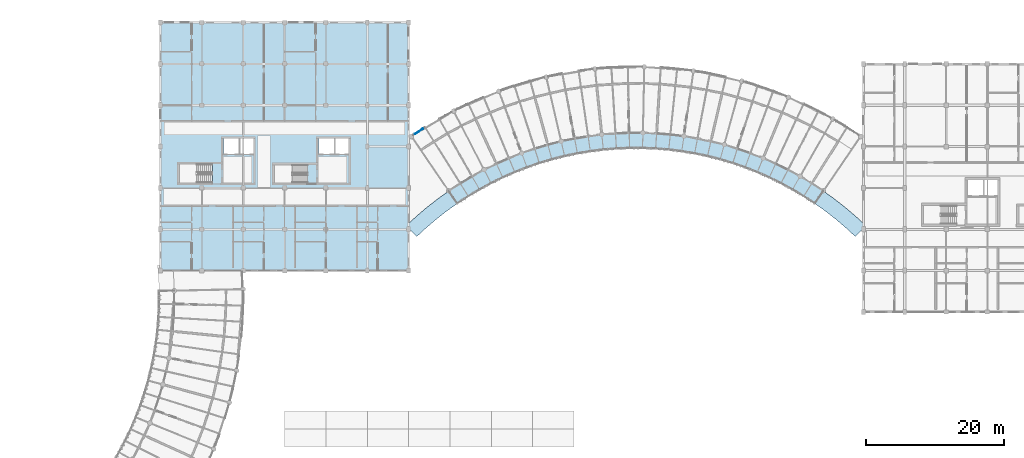
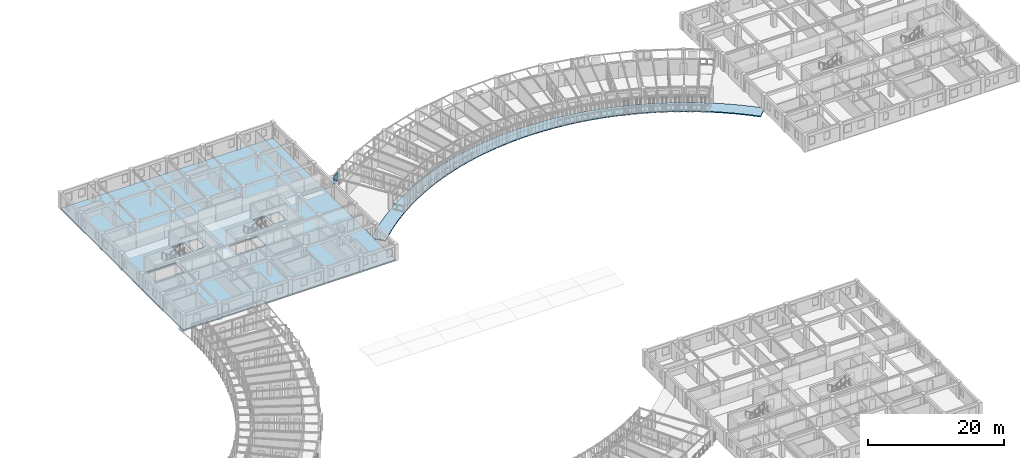
# One storey, part 48 of 100: 2 slabs, 1 plate.
"""IFC4 building model written with IfcOpenShell, lengths in metres."""

from ifc_helpers import new_model, si_unit, direction, frame, origin, origin_2d, place, context, subcontext, project, spatial, polyline, rectangle, outline, extrude, material, layer, layer_set, type_object, element, save


model = new_model("IFC4")

# Units and contexts
model_context = context("Model", 3, precision=1e-05, world=origin(), true_north=direction((0.0, 1.0)))
body_context = subcontext(model_context, "Body", "Model", "MODEL_VIEW")
ifc_project = project(units=[si_unit("LENGTHUNIT", "METRE"), si_unit("AREAUNIT", "SQUARE_METRE"), si_unit("VOLUMEUNIT", "CUBIC_METRE"), si_unit("PLANEANGLEUNIT", "RADIAN"), si_unit("MASSUNIT", "GRAM", prefix="KILO"), si_unit("POWERUNIT", "WATT"), si_unit("THERMODYNAMICTEMPERATUREUNIT", "KELVIN")], contexts=[model_context])

# Site, building, storey
site_placement = place(None, origin())
site = spatial("IfcSite", under=ifc_project, at=site_placement, CompositionType="ELEMENT")
building_placement = place(site_placement, origin())
building = spatial("IfcBuilding", under=site, at=building_placement, Name="Ruvembo Vaulted Housing Court", CompositionType="ELEMENT")
storey_placement = place(building_placement, frame((0.0, 0.0, 10.89990234375)))
storey = spatial("IfcBuildingStorey", under=building, at=storey_placement, Name="L03", CompositionType="ELEMENT", Elevation=10.89990234375)

# Plate
ifc_material_1 = material(Name="Perforated Glazed Ceramic Cobogo Block", Category="ceramic")
ifc_layer_1 = layer(ifc_material_1, 0.1201171875, Name="Perforated Glazed Ceramic Cobogo Block")
ifc_layer_set_1 = layer_set([ifc_layer_1], Name="Perforated Glazed Ceramic Cobogo Block")
plate_type = type_object("IfcPlateType", Name="PL-COBOGO-120", PredefinedType="USERDEFINED", material=ifc_layer_set_1)
plate_placement = place(storey_placement, frame((85.5107421875, 98.216064453125, 1.1201171875), z_axis=(0.0, 0.0, 1.0), x_axis=(0.83583610699, 0.548979054474, 0.0)))
element("IfcPlate", 1, at=plate_placement, inside=storey, type_object=plate_type, Name="Scoop SC3 L03 Ceramic Cobogo Screen #87", ObjectType="COBOGO_PANEL", PredefinedType="USERDEFINED", context=body_context, shape_type="SweptSolid", body=[
    extrude(rectangle(XDim=1.39990234375, YDim=0.1201171875, at=origin_2d()), origin(), (0.0, 0.0, 1.0), 1.360107421875),
])

# Slabs
ifc_material_2 = material(Name="Concrete C35/45", Category="concrete")
ifc_layer_2 = layer(ifc_material_2, 0.172119140625, Name="Concrete C35/45")
ifc_layer_set_2 = layer_set([ifc_layer_2], Name="Concrete C35/45")
slab_type_1 = type_object("IfcSlabType", Name="SL-BAL-172", PredefinedType="FLOOR", material=ifc_layer_set_2)
slab_1_placement = place(storey_placement, frame((0.0, 0.0, -0.171875)))
element("IfcSlab", 2, at=slab_1_placement, inside=storey, type_object=slab_type_1, Name="Scoop SC3 L03 Continuous Curved Balcony Slab", PredefinedType="FLOOR", context=body_context, shape_type="SweptSolid", body=[
    extrude(outline(polyline([(150.0, 84.172607421875), (150.0, 84.8466796875), (148.882080078125, 85.88232421875), (147.365478515625, 87.17431640625), (145.796630859375, 88.402587890625), (144.17822265625, 89.564453125), (142.512939453125, 90.658203125), (140.8037109375, 91.681884765625), (139.053466796875, 92.6337890625), (137.26513671875, 93.51220703125), (135.44189453125, 94.31591796875), (133.587158203125, 95.04296875), (131.70361328125, 95.6923828125), (129.794677734375, 96.26318359375), (127.86376953125, 96.75439453125), (125.914306640625, 97.1650390625), (123.94921875, 97.494384765625), (121.972412109375, 97.74169921875), (119.98681640625, 97.906982421875), (117.99609375, 97.98974609375), (116.00390625, 97.98974609375), (114.01318359375, 97.906982421875), (112.027587890625, 97.74169921875), (110.05078125, 97.494384765625), (108.085693359375, 97.1650390625), (106.13623046875, 96.75439453125), (104.205322265625, 96.26318359375), (102.29638671875, 95.6923828125), (100.412841796875, 95.04296875), (98.55810546875, 94.31591796875), (96.73486328125, 93.51220703125), (94.946533203125, 92.6337890625), (93.1962890625, 91.681884765625), (91.487060546875, 90.658203125), (89.82177734375, 89.564453125), (88.203369140625, 88.402587890625), (86.634521484375, 87.17431640625), (85.117919921875, 85.88232421875), (84.0, 84.8466796875), (84.0, 84.172607421875), (85.1845703125, 82.94580078125), (86.579345703125, 84.23779296875), (88.0263671875, 85.470703125), (89.523193359375, 86.642333984375), (91.0673828125, 87.751220703125), (92.656494140625, 88.794677734375), (94.287353515625, 89.771484375), (95.95751953125, 90.6796875), (97.663818359375, 91.51806640625), (99.4033203125, 92.28466796875), (101.173095703125, 92.978515625), (102.970458984375, 93.598388671875), (104.791748046875, 94.142822265625), (106.634033203125, 94.611572265625), (108.494384765625, 95.00341796875), (110.369140625, 95.3173828125), (112.255615234375, 95.5537109375), (114.150146484375, 95.711181640625), (116.049560546875, 95.7900390625), (117.950439453125, 95.7900390625), (119.849853515625, 95.711181640625), (121.744384765625, 95.5537109375), (123.630859375, 95.3173828125), (125.505615234375, 95.00341796875), (127.365966796875, 94.611572265625), (129.208251953125, 94.142822265625), (131.029541015625, 93.598388671875), (132.826904296875, 92.978515625), (134.5966796875, 92.28466796875), (136.336181640625, 91.51806640625), (138.04248046875, 90.6796875), (139.712646484375, 89.771484375), (141.343505859375, 88.794677734375), (142.9326171875, 87.751220703125), (144.476806640625, 86.642333984375), (145.9736328125, 85.470703125), (147.420654296875, 84.23779296875), (148.8154296875, 82.94580078125), (150.0, 84.172607421875)])), origin(), (0.0, 0.0, 1.0), 0.171875),
])
ifc_material_3 = material(Name="Concrete C30/37", Category="concrete")
ifc_layer_3 = layer(ifc_material_3, 0.2451171875, Name="Concrete C30/37")
ifc_layer_set_3 = layer_set([ifc_layer_3], Name="Concrete C30/37")
slab_type_2 = type_object("IfcSlabType", Name="SL-FLR-245", PredefinedType="FLOOR", material=ifc_layer_set_3)
slab_2_placement = place(storey_placement, frame((0.0, 0.0, -0.244873046875)))
element("IfcSlab", 3, at=slab_2_placement, inside=storey, type_object=slab_type_2, Name="Block B L03 Structural Floor Slab", PredefinedType="FLOOR", context=body_context, shape_type="SweptSolid", body=[
    extrude(outline(polyline([(84.0, 78.0), (84.0, 114.0), (48.0, 114.0), (48.0, 78.0), (84.0, 78.0)]), holes=[polyline([(55.5, 93.449951171875), (50.75, 93.449951171875), (50.75, 90.75), (55.5, 90.75), (55.5, 93.449951171875)]), polyline([(57.14990234375, 94.85009765625), (59.35009765625, 94.85009765625), (59.35009765625, 97.25), (57.14990234375, 97.25), (57.14990234375, 94.85009765625)]), polyline([(59.60009765625, 94.85009765625), (61.449951171875, 94.85009765625), (61.449951171875, 97.25), (59.60009765625, 97.25), (59.60009765625, 94.85009765625)]), polyline([(69.35009765625, 93.35009765625), (64.550048828125, 93.35009765625), (64.550048828125, 90.75), (69.35009765625, 90.75), (69.35009765625, 93.35009765625)]), polyline([(70.949951171875, 94.85009765625), (73.14990234375, 94.85009765625), (73.14990234375, 97.25), (70.949951171875, 97.25), (70.949951171875, 94.85009765625)]), polyline([(73.39990234375, 94.85009765625), (75.25, 94.85009765625), (75.25, 97.25), (73.39990234375, 97.25), (73.39990234375, 94.85009765625)])]), origin(), (0.0, 0.0, 1.0), 0.244873046875),
])

save(model, "model.ifc")
